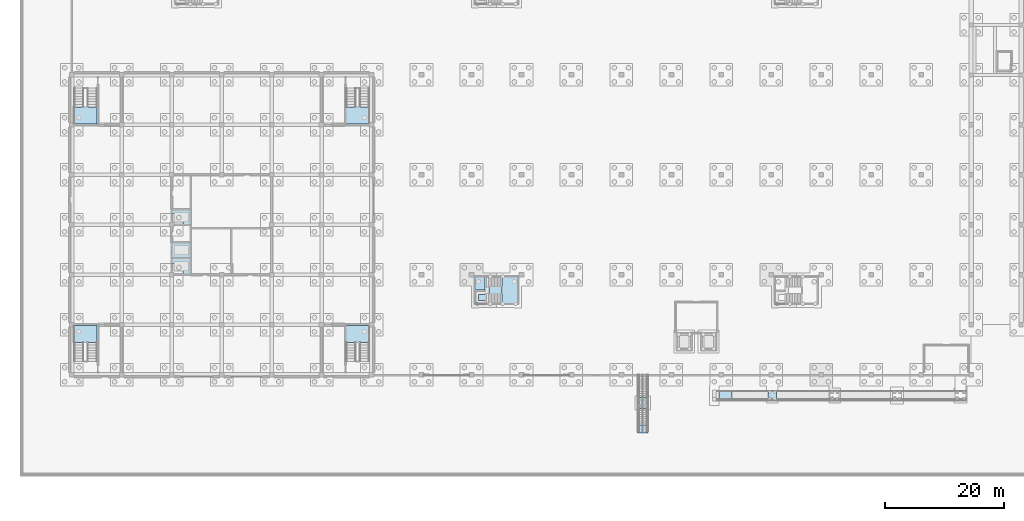
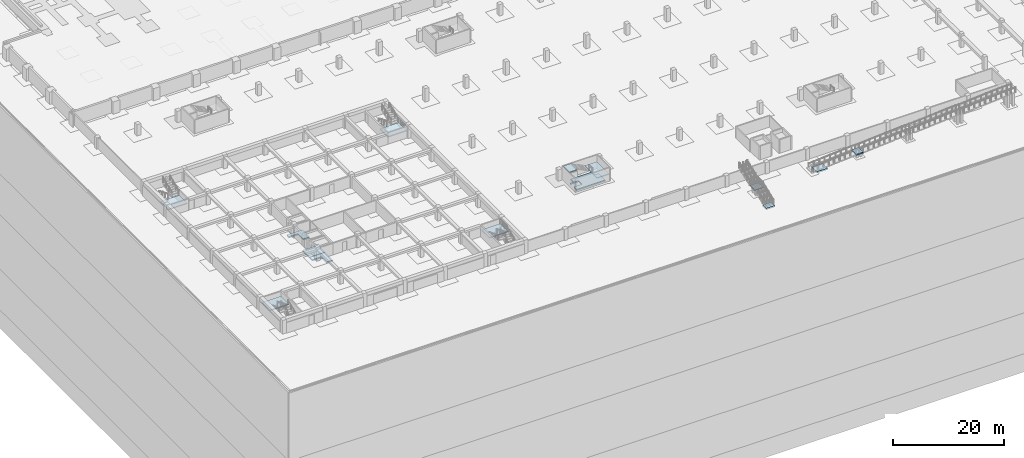
# One storey, part 29 of 67: 14 slabs, 7 elements without a shape of their own.
"""IFC4 building model written with IfcOpenShell, lengths in metres."""

from ifc_helpers import new_model, si_unit, direction, frame, origin, place, context, subcontext, project, spatial, polyline, outline, extrude, material, layer, layer_set, type_object, element, aggregate, save


model = new_model("IFC4")

# Units and contexts
model_context = context("Model", 3, precision=1e-05, world=origin(), true_north=direction((0.0, 1.0)))
body_context = subcontext(model_context, "Body", "Model", "MODEL_VIEW")
ifc_project = project(units=[si_unit("LENGTHUNIT", "METRE"), si_unit("AREAUNIT", "SQUARE_METRE"), si_unit("VOLUMEUNIT", "CUBIC_METRE"), si_unit("PLANEANGLEUNIT", "RADIAN"), si_unit("MASSUNIT", "GRAM", prefix="KILO")], contexts=[model_context])

# Site, building, storey
site_placement = place(None, origin())
site = spatial("IfcSite", under=ifc_project, at=site_placement, CompositionType="ELEMENT")
building_placement = place(site_placement, origin())
building = spatial("IfcBuilding", under=site, at=building_placement, Name="Rain Tree Exposition and Congress Centre", CompositionType="ELEMENT")
storey_placement = place(building_placement, frame((0.0, 0.0, -3.0)))
storey = spatial("IfcBuildingStorey", under=building, at=storey_placement, Name="B1", CompositionType="ELEMENT", Elevation=-3.0)

# Slab
ifc_material_1 = material(Name="Concrete C40/50", Category="concrete")
ifc_layer_1 = layer(ifc_material_1, 0.300048828125)
ifc_layer_set_1 = layer_set([ifc_layer_1], Name="Concrete C40/50")
slab_type_1 = type_object("IfcSlabType", Name="Base slab 300", PredefinedType="BASESLAB", material=ifc_layer_set_1)
slab_1_placement = place(storey_placement, frame((0.0, 0.0, -0.300048828125)))
element("IfcSlab", 1, at=slab_1_placement, inside=storey, type_object=slab_type_1, Name="Undercroft base slab 1 part 5", PredefinedType="BASESLAB", context=body_context, shape_type="SweptSolid", body=[
    extrude(outline(polyline([(69.5, 14.699951171875), (70.10009765625, 14.699951171875), (70.10009765625, 13.5), (68.39990234375, 13.5), (68.39990234375, 12.5), (71.39990234375, 12.5), (74.39990234375, 12.5), (74.39990234375, 14.89990234375), (73.699951171875, 14.89990234375), (73.699951171875, 15.89990234375), (71.39990234375, 15.89990234375), (69.10009765625, 15.89990234375), (69.10009765625, 14.89990234375), (68.39990234375, 14.89990234375), (68.39990234375, 14.699951171875), (69.5, 14.699951171875)])), origin(), (0.0, 0.0, 1.0), 0.300048828125),
])

# Stair, slab
ifc_material_2 = material(Name="Precast concrete C50/60", Category="concrete")
stair_type_1 = type_object("IfcStairType", Name="Public stair 1800 wide", PredefinedType="STRAIGHT_RUN_STAIR", material=ifc_material_2)
stair_1_placement = place(storey_placement, origin())
stair_1 = element("IfcStair", 2, at=stair_1_placement, inside=storey, type_object=stair_type_1, Name="Grand public stair ST-S1", PredefinedType="STRAIGHT_RUN_STAIR")
ifc_material_3 = material(Name="Precast concrete C50/60", Category="concrete")
ifc_layer_2 = layer(ifc_material_3, 0.199951171875)
ifc_layer_set_2 = layer_set([ifc_layer_2], Name="Precast concrete C50/60")
slab_type_2 = type_object("IfcSlabType", Name="Precast landing 200", PredefinedType="LANDING", material=ifc_layer_set_2)
slab_2_placement = place(storey_placement, frame((0.0, 0.0, 1.300048828125)))
slab_2 = element("IfcSlab", 3, at=slab_2_placement, type_object=slab_type_2, Name="ST-S1 landing 1", PredefinedType="LANDING", context=body_context, shape_type="SweptSolid", body=[
    extrude(outline(polyline([(95.10009765625, -5.64990234375), (96.89990234375, -5.64990234375), (96.89990234375, -3.85009765625), (95.10009765625, -3.85009765625), (95.10009765625, -5.64990234375)])), origin(), (0.0, 0.0, 1.0), 0.199951171875),
])
aggregate(stair_1, [slab_2])

# Stair, slabs
ifc_material_4 = material(Name="Precast concrete C50/60", Category="concrete")
stair_type_2 = type_object("IfcStairType", Name="Exit stair 1600 wide", PredefinedType="HALF_TURN_STAIR", material=ifc_material_4)
stair_2_placement = place(storey_placement, origin())
stair_2 = element("IfcStair", 4, at=stair_2_placement, inside=storey, type_object=stair_type_2, Name="Exit stair E1", PredefinedType="HALF_TURN_STAIR")
slab_3_placement = place(storey_placement, frame((0.0, 0.0, 1.300048828125)))
slab_3 = element("IfcSlab", 5, at=slab_3_placement, type_object=slab_type_2, Name="XS-E1 landing 1", PredefinedType="LANDING", context=body_context, shape_type="SweptSolid", body=[
    extrude(outline(polyline([(72.360107421875, 12.0), (74.89990234375, 12.0), (74.89990234375, 16.39990234375), (72.360107421875, 16.39990234375), (72.360107421875, 12.0)])), origin(), (0.0, 0.0, 1.0), 0.199951171875),
])
slab_4_placement = place(storey_placement, frame((0.0, 0.0, 2.800048828125)))
slab_4 = element("IfcSlab", 6, at=slab_4_placement, type_object=slab_type_2, Name="XS-E1 landing 2", PredefinedType="LANDING", context=body_context, shape_type="SweptSolid", body=[
    extrude(outline(polyline([(67.89990234375, 14.199951171875), (69.5, 14.199951171875), (69.5, 16.39990234375), (67.89990234375, 16.39990234375), (67.89990234375, 14.199951171875)])), origin(), (0.0, 0.0, 1.0), 0.199951171875),
])
aggregate(stair_2, [slab_3, slab_4])

# Ramp, slab
ifc_material_5 = material(Name="Precast concrete C50/60", Category="concrete")
ramp_type = type_object("IfcRampType", Name="Accessible ramp 1800 wide", PredefinedType="STRAIGHT_RUN_RAMP", material=ifc_material_5)
ramp_placement = place(storey_placement, origin())
ramp = element("IfcRamp", 7, at=ramp_placement, inside=storey, type_object=ramp_type, Name="Accessible ramp RMP-S1", PredefinedType="STRAIGHT_RUN_RAMP")
ifc_material_6 = material(Name="Precast concrete C50/60", Category="concrete")
ifc_layer_3 = layer(ifc_material_6, 0.25)
ifc_layer_set_3 = layer_set([ifc_layer_3], Name="Precast concrete C50/60")
slab_type_3 = type_object("IfcSlabType", Name="Precast landing 250", PredefinedType="LANDING", material=ifc_layer_set_3)
slab_5_placement = place(storey_placement, frame((0.0, 0.0, 0.695068359375)))
slab_5 = element("IfcSlab", 8, at=slab_5_placement, type_object=slab_type_3, Name="Ramp landing 2", PredefinedType="LANDING", context=body_context, shape_type="SweptSolid", body=[
    extrude(outline(polyline([(117.0, -4.39990234375), (118.5, -4.39990234375), (118.5, -2.60009765625), (117.0, -2.60009765625), (117.0, -4.39990234375)])), origin(), (0.0, 0.0, 1.0), 0.25),
])
aggregate(ramp, [slab_5])

# Slabs
ifc_material_7 = material(Name="Concrete C40/50", Category="concrete")
ifc_layer_4 = layer(ifc_material_7, 0.300048828125)
ifc_layer_set_4 = layer_set([ifc_layer_4], Name="Concrete C40/50")
slab_type_4 = type_object("IfcSlabType", Name="Ramp toe slab 300", PredefinedType="BASESLAB", material=ifc_layer_set_4)
slab_6_placement = place(storey_placement, frame((0.0, 0.0, -0.300048828125)))
element("IfcSlab", 9, at=slab_6_placement, inside=storey, type_object=slab_type_4, Name="Ramp toe slab", PredefinedType="BASESLAB", context=body_context, shape_type="SweptSolid", body=[
    extrude(outline(polyline([(111.0, -2.60009765625), (108.800048828125, -2.60009765625), (108.800048828125, -4.39990234375), (111.0, -4.39990234375), (111.0, -2.60009765625)])), origin(), (0.0, 0.0, 1.0), 0.300048828125),
])
ifc_material_8 = material(Name="Concrete C40/50", Category="concrete")
ifc_layer_5 = layer(ifc_material_8, 0.300048828125)
ifc_layer_set_5 = layer_set([ifc_layer_5], Name="Concrete C40/50")
slab_type_5 = type_object("IfcSlabType", Name="Stair toe slab 300", PredefinedType="BASESLAB", material=ifc_layer_set_5)
slab_7_placement = place(storey_placement, frame((0.0, 0.0, -0.300048828125)))
element("IfcSlab", 10, at=slab_7_placement, inside=storey, type_object=slab_type_5, Name="Stair toe slab", PredefinedType="BASESLAB", context=body_context, shape_type="SweptSolid", body=[
    extrude(outline(polyline([(96.89990234375, -9.800048828125), (96.89990234375, -8.5), (95.10009765625, -8.5), (95.10009765625, -9.800048828125), (96.89990234375, -9.800048828125)])), origin(), (0.0, 0.0, 1.0), 0.300048828125),
])
ifc_material_9 = material(Name="Concrete C40/50", Category="concrete")
ifc_layer_6 = layer(ifc_material_9, 0.300048828125)
ifc_layer_set_6 = layer_set([ifc_layer_6], Name="Concrete C40/50")
slab_type_6 = type_object("IfcSlabType", Name="Wing lift pit slab 300", PredefinedType="BASESLAB", material=ifc_layer_set_6)
slab_8_placement = place(storey_placement, frame((0.0, 0.0, -1.5)))
element("IfcSlab", 11, at=slab_8_placement, inside=storey, type_object=slab_type_6, Name="wing/pit/B1/1", PredefinedType="BASESLAB", context=body_context, shape_type="SweptSolid", body=[
    extrude(outline(polyline([(16.800048828125, 19.60009765625), (16.800048828125, 18.699951171875), (18.699951171875, 18.699951171875), (18.699951171875, 16.800048828125), (20.0, 16.800048828125), (20.0, 19.60009765625), (16.800048828125, 19.60009765625)])), origin(), (0.0, 0.0, 1.0), 0.300048828125),
])
slab_9_placement = place(storey_placement, frame((0.0, 0.0, -1.5)))
element("IfcSlab", 12, at=slab_9_placement, inside=storey, type_object=slab_type_6, Name="wing/pit/B1/2", PredefinedType="BASESLAB", context=body_context, shape_type="SweptSolid", body=[
    extrude(outline(polyline([(16.800048828125, 19.60009765625), (20.0, 19.60009765625), (20.0, 22.199951171875), (16.800048828125, 22.199951171875), (16.800048828125, 19.60009765625)])), origin(), (0.0, 0.0, 1.0), 0.300048828125),
])
slab_10_placement = place(storey_placement, frame((0.0, 0.0, -1.5)))
element("IfcSlab", 13, at=slab_10_placement, inside=storey, type_object=slab_type_6, Name="wing/pit/B1/3", PredefinedType="BASESLAB", context=body_context, shape_type="SweptSolid", body=[
    extrude(outline(polyline([(16.800048828125, 27.800048828125), (16.800048828125, 27.10009765625), (18.699951171875, 27.10009765625), (18.699951171875, 25.199951171875), (20.0, 25.199951171875), (20.0, 27.800048828125), (16.800048828125, 27.800048828125)])), origin(), (0.0, 0.0, 1.0), 0.300048828125),
])

# Stair, slab
ifc_material_10 = material(Name="Precast concrete C50/60", Category="concrete")
stair_type_3 = type_object("IfcStairType", Name="Wing dog-leg stair 1600", PredefinedType="HALF_TURN_STAIR", material=ifc_material_10)
stair_3_placement = place(storey_placement, origin())
stair_3 = element("IfcStair", 14, at=stair_3_placement, inside=storey, type_object=stair_type_3, Name="B1 ST-W1", PredefinedType="HALF_TURN_STAIR")
ifc_material_11 = material(Name="Precast concrete C50/60", Category="concrete")
ifc_layer_7 = layer(ifc_material_11, 0.199951171875)
ifc_layer_set_7 = layer_set([ifc_layer_7], Name="Precast concrete C50/60")
slab_type_7 = type_object("IfcSlabType", Name="Wing stair landing 200", PredefinedType="LANDING", material=ifc_layer_set_7)
slab_11_placement = place(storey_placement, frame((0.0, 0.0, 1.300048828125)))
slab_11 = element("IfcSlab", 15, at=slab_11_placement, type_object=slab_type_7, Name="ST-W1 landing 1", PredefinedType="LANDING", context=body_context, shape_type="SweptSolid", body=[
    extrude(outline(polyline([(4.27490234375, 5.39990234375), (4.27490234375, 8.278076171875), (0.346923828125, 8.278076171875), (0.346923828125, 5.39990234375), (4.27490234375, 5.39990234375)])), origin(), (0.0, 0.0, 1.0), 0.199951171875),
])
aggregate(stair_3, [slab_11])

stair_4_placement = place(storey_placement, origin())
stair_4 = element("IfcStair", 16, at=stair_4_placement, inside=storey, type_object=stair_type_3, Name="B1 ST-W2", PredefinedType="HALF_TURN_STAIR")
slab_12_placement = place(storey_placement, frame((0.0, 0.0, 1.300048828125)))
slab_12 = element("IfcSlab", 17, at=slab_12_placement, type_object=slab_type_7, Name="ST-W2 landing 1", PredefinedType="LANDING", context=body_context, shape_type="SweptSolid", body=[
    extrude(outline(polyline([(46.125, 5.39990234375), (46.125, 8.278076171875), (50.052978515625, 8.278076171875), (50.052978515625, 5.39990234375), (46.125, 5.39990234375)])), origin(), (0.0, 0.0, 1.0), 0.199951171875),
])
aggregate(stair_4, [slab_12])

stair_5_placement = place(storey_placement, origin())
stair_5 = element("IfcStair", 18, at=stair_5_placement, inside=storey, type_object=stair_type_3, Name="B1 ST-W3", PredefinedType="HALF_TURN_STAIR")
slab_13_placement = place(storey_placement, frame((0.0, 0.0, 1.300048828125)))
slab_13 = element("IfcSlab", 19, at=slab_13_placement, type_object=slab_type_7, Name="ST-W3 landing 1", PredefinedType="LANDING", context=body_context, shape_type="SweptSolid", body=[
    extrude(outline(polyline([(4.27490234375, 45.0), (4.27490234375, 42.1220703125), (0.346923828125, 42.1220703125), (0.346923828125, 45.0), (4.27490234375, 45.0)])), origin(), (0.0, 0.0, 1.0), 0.199951171875),
])
aggregate(stair_5, [slab_13])

stair_6_placement = place(storey_placement, origin())
stair_6 = element("IfcStair", 20, at=stair_6_placement, inside=storey, type_object=stair_type_3, Name="B1 ST-W4", PredefinedType="HALF_TURN_STAIR")
slab_14_placement = place(storey_placement, frame((0.0, 0.0, 1.300048828125)))
slab_14 = element("IfcSlab", 21, at=slab_14_placement, type_object=slab_type_7, Name="ST-W4 landing 1", PredefinedType="LANDING", context=body_context, shape_type="SweptSolid", body=[
    extrude(outline(polyline([(46.125, 45.0), (46.125, 42.1220703125), (50.052978515625, 42.1220703125), (50.052978515625, 45.0), (46.125, 45.0)])), origin(), (0.0, 0.0, 1.0), 0.199951171875),
])
aggregate(stair_6, [slab_14])

save(model, "model.ifc")
